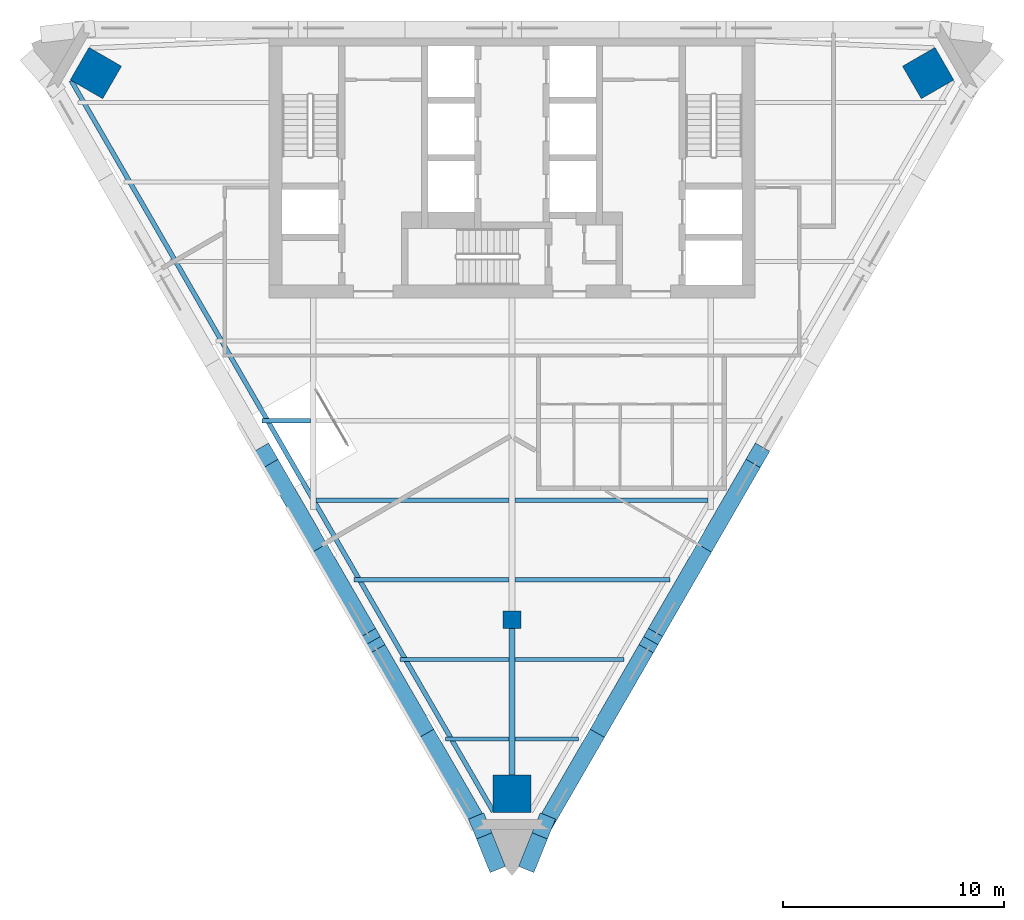
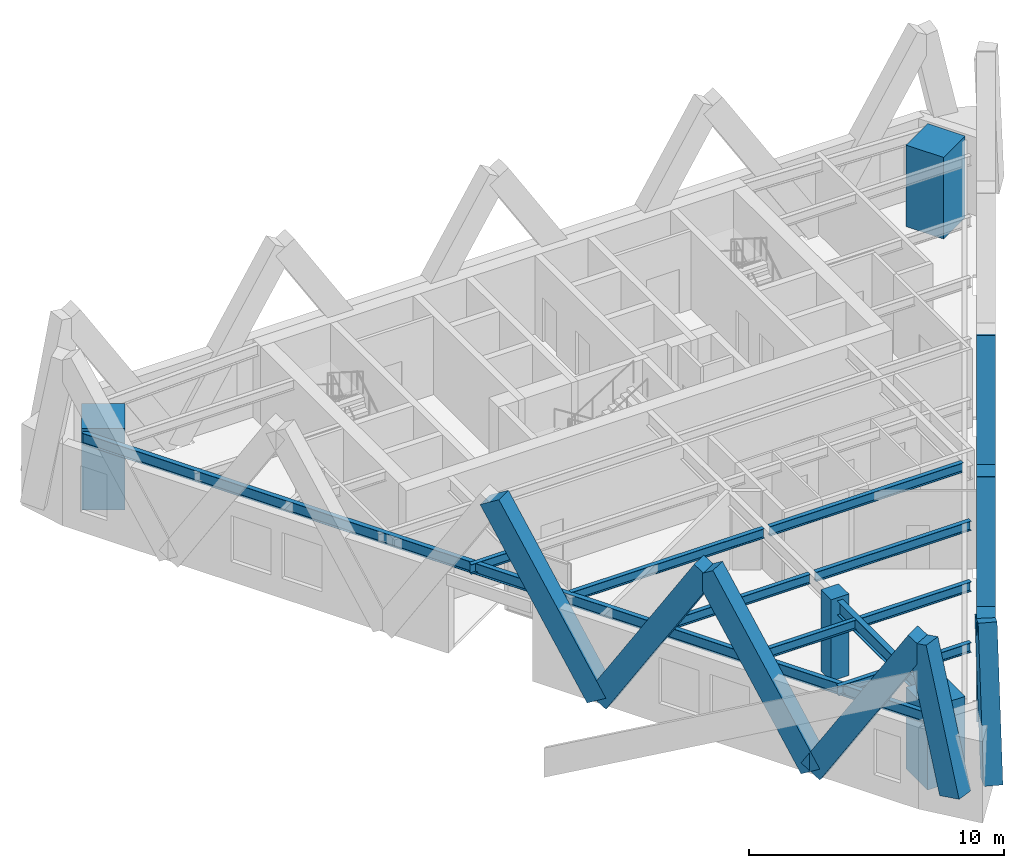
# One storey, part 1 of 9: 11 beams, 10 members, 4 columns.
"""IFC4 building model written with IfcOpenShell, lengths in metres."""

from ifc_helpers import new_model, si_unit, direction, frame, origin, origin_2d, place, context, subcontext, project, spatial, rectangle, i_section, extrude, material, material_profile, profile_set, type_object, element, save


model = new_model("IFC4")

# Units and contexts
model_context = context("Model", 3, precision=1e-05, world=origin(), true_north=direction((0.0, 1.0)))
body_context = subcontext(model_context, "Body", "Model", "MODEL_VIEW")
ifc_project = project(units=[si_unit("LENGTHUNIT", "METRE"), si_unit("AREAUNIT", "SQUARE_METRE"), si_unit("VOLUMEUNIT", "CUBIC_METRE"), si_unit("PLANEANGLEUNIT", "RADIAN"), si_unit("MASSUNIT", "GRAM", prefix="KILO")], contexts=[model_context])

# Site, building, storey
site_placement = place(None, origin())
site = spatial("IfcSite", under=ifc_project, at=site_placement, CompositionType="ELEMENT")
building_placement = place(site_placement, origin())
building = spatial("IfcBuilding", under=site, at=building_placement, Name="Aloe Facet Convention Tower", CompositionType="ELEMENT")
storey_placement = place(building_placement, frame((0.0, 0.0, 203.60009765625)))
storey = spatial("IfcBuildingStorey", under=building, at=storey_placement, Name="L51", CompositionType="ELEMENT", Elevation=203.60009765625)

# Columns
ifc_material_1 = material(Name="Concrete C70/85", Category="concrete")
ifc_material_profile_1 = material_profile(ifc_material_1, rectangle(XDim=0.800048828125, YDim=0.800048828125, at=origin_2d()), Name="SF-GC-Z4")
ifc_profile_set_1 = profile_set([ifc_material_profile_1], Name="Concrete C70/85")
column_type_1 = type_object("IfcColumnType", Name="SF-GC-Z4", PredefinedType="COLUMN", material=ifc_profile_set_1)
column_placement = place(storey_placement, frame((80.0, 108.0, 0.0), z_axis=(0.0, 0.0, 1.0), x_axis=(1.0, 0.0, 0.0)))
element("IfcColumn", 1, at=column_placement, inside=storey, type_object=column_type_1, Name="Gravity column GC-Z4-9D", PredefinedType="COLUMN", context=body_context, shape_type="SweptSolid", body=[
    extrude(rectangle(XDim=0.800048828125, YDim=0.800048828125, at=origin_2d()), origin(), (0.0, 0.0, 1.0), 3.89990234375),
])
ifc_material_2 = material(Name="Concrete C80/95", Category="concrete")
ifc_material_profile_2 = material_profile(ifc_material_2, rectangle(XDim=1.699951171875, YDim=1.699951171875, at=origin_2d()), Name="STW-MC-Z4")
ifc_profile_set_2 = profile_set([ifc_material_profile_2], Name="Concrete C80/95")
column_type_2 = type_object("IfcColumnType", Name="STW-MC-Z4", PredefinedType="COLUMN", material=ifc_profile_set_2)
for number, where, z_axis, x_axis, name in (
    (2, (98.828857421875, 132.727783203125, 0.0), (0.0, 0.0, 1.0), (-0.5, 0.866025403784, 0.0), "Mega-column MC-NE-L51"),
    (3, (61.171142578125, 132.727783203125, 0.0), (0.0, 0.0, 1.0), (-0.5, -0.866025403784, 0.0), "Mega-column MC-NW-L51"),
    (4, (80.0, 100.114990234375, 0.0), (0.0, 0.0, 1.0), (1.0, 0.0, 0.0), "Mega-column MC-S-L51"),
):
    element("IfcColumn", number, at=place(storey_placement, frame(where, z_axis=z_axis, x_axis=x_axis)), inside=storey, type_object=column_type_2, Name=name, PredefinedType="COLUMN", context=body_context, shape_type="SweptSolid", body=[
        extrude(rectangle(XDim=1.699951171875, YDim=1.699951171875, at=origin_2d()), origin(), (0.0, 0.0, 1.0), 3.89990234375),
    ])

# Beams
ifc_material_3 = material(Name="Steel S355", Category="steel")
ifc_material_profile_3 = material_profile(ifc_material_3, i_section(OverallWidth=0.19140625, OverallDepth=0.4599609375, WebThickness=0.010009765625, FlangeThickness=0.01611328125, FilletRadius=0.01025390625, at=origin_2d()), Name="UB 457x191x82")
ifc_profile_set_3 = profile_set([ifc_material_profile_3], Name="Steel S355")
beam_type_1 = type_object("IfcBeamType", Name="SF-B-UB457x191x82", PredefinedType="BEAM", material=ifc_profile_set_3)
beam_1_placement = place(storey_placement, frame((68.687744140625, 117.0, 3.52001953125), z_axis=(1.0, 0.0, 0.0), x_axis=(0.0, 1.0, 0.0)))
element("IfcBeam", 5, at=beam_1_placement, inside=storey, type_object=beam_type_1, Name="Floor beam FB-Z4B-013", PredefinedType="BEAM", context=body_context, shape_type="SweptSolid", body=[
    extrude(i_section(OverallWidth=0.19140625, OverallDepth=0.4599609375, WebThickness=0.010009765625, FlangeThickness=0.01611328125, FilletRadius=0.01025390625, at=origin_2d()), origin(), (0.0, 0.0, 1.0), 2.185791015625),
])
beam_2_placement = place(storey_placement, frame((71.12646484375, 113.39990234375, 3.52001953125), z_axis=(1.0, 0.0, 0.0), x_axis=(0.0, 1.0, 0.0)))
element("IfcBeam", 6, at=beam_2_placement, inside=storey, type_object=beam_type_1, Name="Floor beam FB-Z4B-014", PredefinedType="BEAM", context=body_context, shape_type="SweptSolid", body=[
    extrude(i_section(OverallWidth=0.19140625, OverallDepth=0.4599609375, WebThickness=0.010009765625, FlangeThickness=0.01611328125, FilletRadius=0.01025390625, at=origin_2d()), origin(), (0.0, 0.0, 1.0), 8.7470703125),
])
beam_3_placement = place(storey_placement, frame((72.844482421875, 109.800048828125, 3.52001953125), z_axis=(1.0, 0.0, 0.0), x_axis=(0.0, 1.0, 0.0)))
element("IfcBeam", 7, at=beam_3_placement, inside=storey, type_object=beam_type_1, Name="Floor beam FB-Z4B-017", PredefinedType="BEAM", context=body_context, shape_type="SweptSolid", body=[
    extrude(i_section(OverallWidth=0.19140625, OverallDepth=0.4599609375, WebThickness=0.010009765625, FlangeThickness=0.01611328125, FilletRadius=0.01025390625, at=origin_2d()), origin(), (0.0, 0.0, 1.0), 7.029052734375),
])
beam_4_placement = place(storey_placement, frame((74.923095703125, 106.199951171875, 3.52001953125), z_axis=(1.0, 0.0, 0.0), x_axis=(0.0, 1.0, 0.0)))
element("IfcBeam", 8, at=beam_4_placement, inside=storey, type_object=beam_type_1, Name="Floor beam FB-Z4B-018", PredefinedType="BEAM", context=body_context, shape_type="SweptSolid", body=[
    extrude(i_section(OverallWidth=0.19140625, OverallDepth=0.4599609375, WebThickness=0.010009765625, FlangeThickness=0.01611328125, FilletRadius=0.01025390625, at=origin_2d()), origin(), (0.0, 0.0, 1.0), 4.950439453125),
])
for number, where, z_axis, x_axis, name in (
    (9, (77.00146484375, 102.60009765625, 3.52001953125), (1.0, 0.0, 0.0), (0.0, 1.0, 0.0), "Floor beam FB-Z4B-019"),
    (10, (80.12646484375, 102.60009765625, 3.52001953125), (1.0, 0.0, 0.0), (0.0, 1.0, 0.0), "Floor beam FB-Z4B-020"),
):
    element("IfcBeam", number, at=place(storey_placement, frame(where, z_axis=z_axis, x_axis=x_axis)), inside=storey, type_object=beam_type_1, Name=name, PredefinedType="BEAM", context=body_context, shape_type="SweptSolid", body=[
        extrude(i_section(OverallWidth=0.19140625, OverallDepth=0.4599609375, WebThickness=0.010009765625, FlangeThickness=0.01611328125, FilletRadius=0.01025390625, at=origin_2d()), origin(), (0.0, 0.0, 1.0), 2.8720703125),
    ])
beam_5_placement = place(storey_placement, frame((80.12646484375, 106.199951171875, 3.52001953125), z_axis=(1.0, 0.0, 0.0), x_axis=(0.0, 1.0, 0.0)))
element("IfcBeam", 11, at=beam_5_placement, inside=storey, type_object=beam_type_1, Name="Floor beam FB-Z4B-021", PredefinedType="BEAM", context=body_context, shape_type="SweptSolid", body=[
    extrude(i_section(OverallWidth=0.19140625, OverallDepth=0.4599609375, WebThickness=0.010009765625, FlangeThickness=0.01611328125, FilletRadius=0.01025390625, at=origin_2d()), origin(), (0.0, 0.0, 1.0), 4.950439453125),
])
beam_6_placement = place(storey_placement, frame((80.12646484375, 109.800048828125, 3.52001953125), z_axis=(1.0, 0.0, 0.0), x_axis=(0.0, 1.0, 0.0)))
element("IfcBeam", 12, at=beam_6_placement, inside=storey, type_object=beam_type_1, Name="Floor beam FB-Z4B-022", PredefinedType="BEAM", context=body_context, shape_type="SweptSolid", body=[
    extrude(i_section(OverallWidth=0.19140625, OverallDepth=0.4599609375, WebThickness=0.010009765625, FlangeThickness=0.01611328125, FilletRadius=0.01025390625, at=origin_2d()), origin(), (0.0, 0.0, 1.0), 7.029052734375),
])
beam_7_placement = place(storey_placement, frame((80.12646484375, 113.39990234375, 3.52001953125), z_axis=(1.0, 0.0, 0.0), x_axis=(0.0, 1.0, 0.0)))
element("IfcBeam", 13, at=beam_7_placement, inside=storey, type_object=beam_type_1, Name="Floor beam FB-Z4B-023", PredefinedType="BEAM", context=body_context, shape_type="SweptSolid", body=[
    extrude(i_section(OverallWidth=0.19140625, OverallDepth=0.4599609375, WebThickness=0.010009765625, FlangeThickness=0.01611328125, FilletRadius=0.01025390625, at=origin_2d()), origin(), (0.0, 0.0, 1.0), 8.7470703125),
])
ifc_material_4 = material(Name="Steel S355", Category="steel")
ifc_material_profile_4 = material_profile(ifc_material_4, i_section(OverallWidth=0.209228515625, OverallDepth=0.533203125, WebThickness=0.010009765625, FlangeThickness=0.015625, FilletRadius=0.0126953125, at=origin_2d()), Name="UB 533x210x92")
ifc_profile_set_4 = profile_set([ifc_material_profile_4], Name="Steel S355")
beam_type_2 = type_object("IfcBeamType", Name="SF-B-UB533x210x92", PredefinedType="BEAM", material=ifc_profile_set_4)
beam_8_placement = place(storey_placement, frame((79.14990234375, 99.319580078125, 3.4833984375), z_axis=(-0.499998065821, 0.866026520481, 0.0), x_axis=(-0.866026520481, -0.499998065821, 0.0)))
element("IfcBeam", 14, at=beam_8_placement, inside=storey, type_object=beam_type_2, Name="Floor beam FB-Z4B-002", PredefinedType="BEAM", context=body_context, shape_type="SweptSolid", body=[
    extrude(i_section(OverallWidth=0.209228515625, OverallDepth=0.533203125, WebThickness=0.010009765625, FlangeThickness=0.015625, FilletRadius=0.0126953125, at=origin_2d()), origin(), (0.0, 0.0, 1.0), 38.185791015625),
])
ifc_material_5 = material(Name="Steel S355", Category="steel")
ifc_material_profile_5 = material_profile(ifc_material_5, i_section(OverallWidth=0.2529296875, OverallDepth=0.677978515625, WebThickness=0.01171875, FlangeThickness=0.01611328125, FilletRadius=0.01513671875, at=origin_2d()), Name="UB 686x254x125")
ifc_profile_set_5 = profile_set([ifc_material_profile_5], Name="Steel S355")
beam_type_3 = type_object("IfcBeamType", Name="SF-B-UB686x254x125", PredefinedType="BEAM", material=ifc_profile_set_5)
beam_9_placement = place(storey_placement, frame((80.0, 107.60009765625, 3.410888671875), z_axis=(0.0, -1.0, 0.0), x_axis=(1.0, 0.0, 0.0)))
element("IfcBeam", 15, at=beam_9_placement, inside=storey, type_object=beam_type_3, Name="Floor beam FB-Z4B-006", PredefinedType="BEAM", context=body_context, shape_type="SweptSolid", body=[
    extrude(i_section(OverallWidth=0.2529296875, OverallDepth=0.677978515625, WebThickness=0.01171875, FlangeThickness=0.01611328125, FilletRadius=0.01513671875, at=origin_2d()), origin(), (0.0, 0.0, 1.0), 8.165771484375),
])

# Members
ifc_material_6 = material(Name="Concrete C60/75, bronze oxide finish", Category="concrete")
ifc_material_profile_6 = material_profile(ifc_material_6, rectangle(XDim=0.75, YDim=1.0, at=origin_2d()), Name="STW-LM")
ifc_profile_set_6 = profile_set([ifc_material_profile_6], Name="Concrete C60/75, bronze oxide finish")
member_type = type_object("IfcMemberType", Name="STW-LM", PredefinedType="BRACE", material=ifc_profile_set_6)
for number, where, z_axis, x_axis, name in (
    (16, (71.298095703125, 111.24267578125, 0.0), (-0.263684325691, 0.456707102884, 0.849640629066), (-0.866021826347, -0.500006196252, 0.0), "Lattice member LM-Z4-F2-R3-05"),
    (17, (71.298095703125, 111.24267578125, 0.0), (0.263684325691, -0.456707102884, 0.849640629066), (0.866021826347, 0.500006196252, 0.0), "Lattice member LM-Z4-F2-R3-06"),
):
    element("IfcMember", number, at=place(storey_placement, frame(where, z_axis=z_axis, x_axis=x_axis)), inside=storey, type_object=member_type, Name=name, PredefinedType="BRACE", context=body_context, shape_type="SweptSolid", body=[
        extrude(rectangle(XDim=0.75, YDim=1.0, at=origin_2d()), origin(), (0.0, 0.0, 1.0), 9.18017578125),
    ])
member_1_placement = place(storey_placement, frame((76.13916015625, 102.857666015625, 0.0), z_axis=(-0.263662782435, 0.456689257613, 0.849656906721), x_axis=(-0.8660310559, -0.499990210121, 0.0)))
element("IfcMember", 18, at=member_1_placement, inside=storey, type_object=member_type, Name="Lattice member LM-Z4-F2-R3-07", PredefinedType="BRACE", context=body_context, shape_type="SweptSolid", body=[
    extrude(rectangle(XDim=0.75, YDim=1.0, at=origin_2d()), origin(), (0.0, 0.0, 1.0), 9.179931640625),
])
for number, where, z_axis, x_axis, name in (
    (19, (76.13916015625, 102.857666015625, 0.0), (0.263684325691, -0.456707102884, 0.849640629066), (0.866021826347, 0.500006196252, 0.0), "Lattice member LM-Z4-F2-R3-08"),
    (20, (83.86083984375, 102.857666015625, 0.0), (-0.263684325691, -0.456707102884, 0.849640629066), (0.866021826347, -0.500006196252, 0.0), "Lattice member LM-Z4-F3-R3-01"),
):
    element("IfcMember", number, at=place(storey_placement, frame(where, z_axis=z_axis, x_axis=x_axis)), inside=storey, type_object=member_type, Name=name, PredefinedType="BRACE", context=body_context, shape_type="SweptSolid", body=[
        extrude(rectangle(XDim=0.75, YDim=1.0, at=origin_2d()), origin(), (0.0, 0.0, 1.0), 9.18017578125),
    ])
member_2_placement = place(storey_placement, frame((83.86083984375, 102.857666015625, 0.0), z_axis=(0.263662782435, 0.456689257613, 0.849656906721), x_axis=(-0.8660310559, 0.499990210121, 0.0)))
element("IfcMember", 21, at=member_2_placement, inside=storey, type_object=member_type, Name="Lattice member LM-Z4-F3-R3-02", PredefinedType="BRACE", context=body_context, shape_type="SweptSolid", body=[
    extrude(rectangle(XDim=0.75, YDim=1.0, at=origin_2d()), origin(), (0.0, 0.0, 1.0), 9.179931640625),
])
for number, where, z_axis, x_axis, name in (
    (22, (88.701904296875, 111.24267578125, 0.0), (-0.263684325691, -0.456707102884, 0.849640629066), (0.866021826347, -0.500006196252, 0.0), "Lattice member LM-Z4-F3-R3-03"),
    (23, (88.701904296875, 111.24267578125, 0.0), (0.263684325691, 0.456707102884, 0.849640629066), (-0.866021826347, 0.500006196252, 0.0), "Lattice member LM-Z4-F3-R3-04"),
):
    element("IfcMember", number, at=place(storey_placement, frame(where, z_axis=z_axis, x_axis=x_axis)), inside=storey, type_object=member_type, Name=name, PredefinedType="BRACE", context=body_context, shape_type="SweptSolid", body=[
        extrude(rectangle(XDim=0.75, YDim=1.0, at=origin_2d()), origin(), (0.0, 0.0, 1.0), 9.18017578125),
    ])
for number, where, z_axis, x_axis, name in (
    (24, (79.175048828125, 97.145263671875, 1.135009765625), (-0.089638491938, 0.221428417585, 0.971048091831), (-0.92692831694, -0.375238451195, 0.0), "Lattice member LM-Z4-F5-R2-05"),
    (25, (80.824951171875, 97.145263671875, 1.135009765625), (0.089638491938, 0.221428417585, 0.971048091831), (-0.92692831694, 0.375238451195, 0.0), "Lattice member LM-Z4-F5-R2-06"),
):
    element("IfcMember", number, at=place(storey_placement, frame(where, z_axis=z_axis, x_axis=x_axis)), inside=storey, type_object=member_type, Name=name, PredefinedType="BRACE", context=body_context, shape_type="SweptSolid", body=[
        extrude(rectangle(XDim=0.75, YDim=1.0, at=origin_2d()), origin(), (0.0, 0.0, 1.0), 6.863525390625),
    ])

save(model, "model.ifc")
